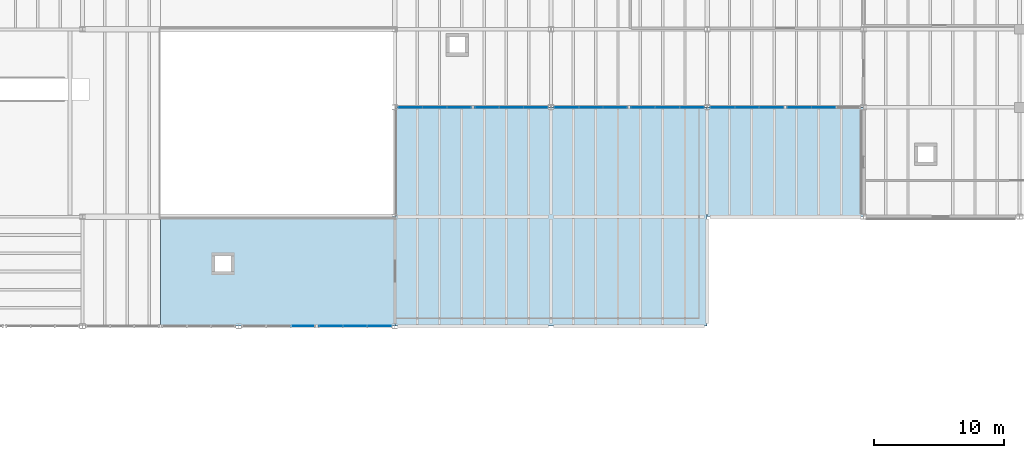
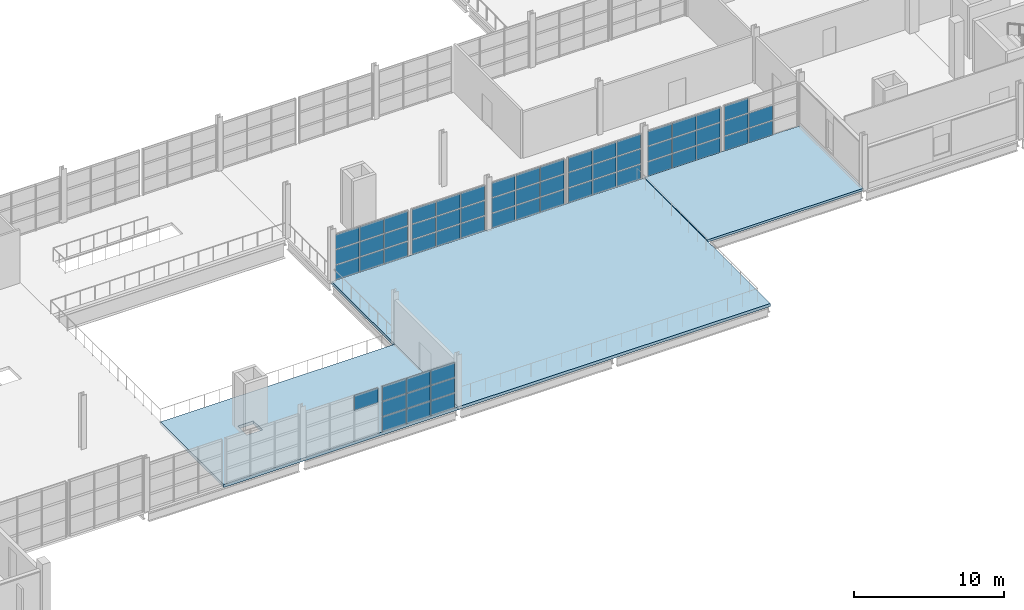
# One storey, part 48 of 78: 60 plates, 3 slabs, 8 elements without a shape of their own.
"""IFC4 building model written with IfcOpenShell, lengths in metres."""

from ifc_helpers import new_model, si_unit, direction, frame, origin, origin_2d, place, context, subcontext, project, spatial, polyline, rectangle, outline, extrude, material, layer, layer_set, type_object, element, aggregate, save


model = new_model("IFC4")

# Units and contexts
model_context = context("Model", 3, precision=1e-05, world=origin(), true_north=direction((0.0, 1.0)))
body_context = subcontext(model_context, "Body", "Model", "MODEL_VIEW")
ifc_project = project(units=[si_unit("LENGTHUNIT", "METRE"), si_unit("AREAUNIT", "SQUARE_METRE"), si_unit("VOLUMEUNIT", "CUBIC_METRE"), si_unit("PLANEANGLEUNIT", "RADIAN"), si_unit("MASSUNIT", "GRAM", prefix="KILO")], contexts=[model_context])

# Site, building, storey
site_placement = place(None, origin())
site = spatial("IfcSite", under=ifc_project, at=site_placement, CompositionType="ELEMENT")
building_placement = place(site_placement, origin())
building = spatial("IfcBuilding", under=site, at=building_placement, Name="Kelmvaro Bay Concert Hall", CompositionType="ELEMENT")
storey_placement = place(building_placement, frame((0.0, 0.0, 9.300048828125)))
storey = spatial("IfcBuildingStorey", under=building, at=storey_placement, Name="L02", CompositionType="ELEMENT", Elevation=9.300048828125)

# Curtain wall, plates
ifc_material_1 = material(Name="Anodised Aluminium and Low-E Insulated Glazing", Category="aluminium")
curtain_wall_type = type_object("IfcCurtainWallType", Name="Upper Salon Waterfront Curtain Wall 4050", PredefinedType="USERDEFINED", material=ifc_material_1)
curtain_wall_1_placement = place(storey_placement, origin())
curtain_wall_1 = element("IfcCurtainWall", 1, at=curtain_wall_1_placement, inside=storey, type_object=curtain_wall_type, Name="Unitised Curtain Wall CW-L02-082", ObjectType="UNITISED GLAZING", PredefinedType="USERDEFINED")
ifc_material_2 = material(Name="Laminated Low-E Insulated Glass", Category="glass")
ifc_layer_1 = layer(ifc_material_2, 1.85009765625)
ifc_layer_set_1 = layer_set([ifc_layer_1], Name="Laminated Low-E Insulated Glass")
plate_type_1 = type_object("IfcPlateType", Name="Curtain Glazing Panel Low-E 32", PredefinedType="CURTAIN_PANEL", material=ifc_layer_set_1)
plate_1_placement = place(storey_placement, frame((88.92578125, 24.0, 0.0322265625), z_axis=(0.0, 0.0, 1.0), x_axis=(-1.0, 0.0, 0.0)))
plate_1 = element("IfcPlate", 2, at=plate_1_placement, type_object=plate_type_1, Name="CW-L02-082 Insulated Glazing Panel 01-1", PredefinedType="CURTAIN_PANEL", context=body_context, shape_type="SweptSolid", body=[
    extrude(rectangle(XDim=1.803466796875, YDim=0.031982421875, at=origin_2d()), origin(), (0.0, 0.0, 1.0), 1.181396484375),
])
plate_2_placement = place(storey_placement, frame((88.92578125, 24.0, 1.27880859375), z_axis=(0.0, 0.0, 1.0), x_axis=(-1.0, 0.0, 0.0)))
plate_2 = element("IfcPlate", 3, at=plate_2_placement, type_object=plate_type_1, Name="CW-L02-082 Insulated Glazing Panel 01-2", PredefinedType="CURTAIN_PANEL", context=body_context, shape_type="SweptSolid", body=[
    extrude(rectangle(XDim=1.803466796875, YDim=0.031982421875, at=origin_2d()), origin(), (0.0, 0.0, 1.0), 1.181396484375),
])
plate_3_placement = place(storey_placement, frame((88.92578125, 24.0, 2.52490234375), z_axis=(0.0, 0.0, 1.0), x_axis=(-1.0, 0.0, 0.0)))
plate_3 = element("IfcPlate", 4, at=plate_3_placement, type_object=plate_type_1, Name="CW-L02-082 Insulated Glazing Panel 01-3", PredefinedType="CURTAIN_PANEL", context=body_context, shape_type="SweptSolid", body=[
    extrude(rectangle(XDim=1.803466796875, YDim=0.031982421875, at=origin_2d()), origin(), (0.0, 0.0, 1.0), 1.181396484375),
])
plate_4_placement = place(storey_placement, frame((87.05712890625, 24.0, 0.0322265625), z_axis=(0.0, 0.0, 1.0), x_axis=(-1.0, 0.0, 0.0)))
plate_4 = element("IfcPlate", 5, at=plate_4_placement, type_object=plate_type_1, Name="CW-L02-082 Insulated Glazing Panel 02-1", PredefinedType="CURTAIN_PANEL", context=body_context, shape_type="SweptSolid", body=[
    extrude(rectangle(XDim=1.803466796875, YDim=0.031982421875, at=origin_2d()), origin(), (0.0, 0.0, 1.0), 1.181396484375),
])
plate_5_placement = place(storey_placement, frame((87.05712890625, 24.0, 1.27880859375), z_axis=(0.0, 0.0, 1.0), x_axis=(-1.0, 0.0, 0.0)))
plate_5 = element("IfcPlate", 6, at=plate_5_placement, type_object=plate_type_1, Name="CW-L02-082 Insulated Glazing Panel 02-2", PredefinedType="CURTAIN_PANEL", context=body_context, shape_type="SweptSolid", body=[
    extrude(rectangle(XDim=1.803466796875, YDim=0.031982421875, at=origin_2d()), origin(), (0.0, 0.0, 1.0), 1.181396484375),
])
plate_6_placement = place(storey_placement, frame((87.05712890625, 24.0, 2.52490234375), z_axis=(0.0, 0.0, 1.0), x_axis=(-1.0, 0.0, 0.0)))
plate_6 = element("IfcPlate", 7, at=plate_6_placement, type_object=plate_type_1, Name="CW-L02-082 Insulated Glazing Panel 02-3", PredefinedType="CURTAIN_PANEL", context=body_context, shape_type="SweptSolid", body=[
    extrude(rectangle(XDim=1.803466796875, YDim=0.031982421875, at=origin_2d()), origin(), (0.0, 0.0, 1.0), 1.181396484375),
])
plate_7_placement = place(storey_placement, frame((85.188720703125, 24.0, 0.0322265625), z_axis=(0.0, 0.0, 1.0), x_axis=(-1.0, 0.0, 0.0)))
plate_7 = element("IfcPlate", 8, at=plate_7_placement, type_object=plate_type_1, Name="CW-L02-082 Insulated Glazing Panel 03-1", PredefinedType="CURTAIN_PANEL", context=body_context, shape_type="SweptSolid", body=[
    extrude(rectangle(XDim=1.803466796875, YDim=0.031982421875, at=origin_2d()), origin(), (0.0, 0.0, 1.0), 1.181396484375),
])
plate_8_placement = place(storey_placement, frame((85.188720703125, 24.0, 1.27880859375), z_axis=(0.0, 0.0, 1.0), x_axis=(-1.0, 0.0, 0.0)))
plate_8 = element("IfcPlate", 9, at=plate_8_placement, type_object=plate_type_1, Name="CW-L02-082 Insulated Glazing Panel 03-2", PredefinedType="CURTAIN_PANEL", context=body_context, shape_type="SweptSolid", body=[
    extrude(rectangle(XDim=1.803466796875, YDim=0.031982421875, at=origin_2d()), origin(), (0.0, 0.0, 1.0), 1.181396484375),
])
plate_9_placement = place(storey_placement, frame((85.188720703125, 24.0, 2.52490234375), z_axis=(0.0, 0.0, 1.0), x_axis=(-1.0, 0.0, 0.0)))
plate_9 = element("IfcPlate", 10, at=plate_9_placement, type_object=plate_type_1, Name="CW-L02-082 Insulated Glazing Panel 03-3", PredefinedType="CURTAIN_PANEL", context=body_context, shape_type="SweptSolid", body=[
    extrude(rectangle(XDim=1.803466796875, YDim=0.031982421875, at=origin_2d()), origin(), (0.0, 0.0, 1.0), 1.181396484375),
])
aggregate(curtain_wall_1, [plate_1, plate_2, plate_3, plate_4, plate_5, plate_6, plate_7, plate_8, plate_9])

curtain_wall_2_placement = place(storey_placement, origin())
curtain_wall_2 = element("IfcCurtainWall", 11, at=curtain_wall_2_placement, inside=storey, type_object=curtain_wall_type, Name="Unitised Curtain Wall CW-L02-083", ObjectType="UNITISED GLAZING", PredefinedType="USERDEFINED")
plate_10_placement = place(storey_placement, frame((94.8125, 24.0, 0.0322265625), z_axis=(0.0, 0.0, 1.0), x_axis=(-1.0, 0.0, 0.0)))
plate_10 = element("IfcPlate", 12, at=plate_10_placement, type_object=plate_type_1, Name="CW-L02-083 Insulated Glazing Panel 01-1", PredefinedType="CURTAIN_PANEL", context=body_context, shape_type="SweptSolid", body=[
    extrude(rectangle(XDim=1.803955078125, YDim=0.031982421875, at=origin_2d()), origin(), (0.0, 0.0, 1.0), 1.181396484375),
])
plate_11_placement = place(storey_placement, frame((94.8125, 24.0, 1.27880859375), z_axis=(0.0, 0.0, 1.0), x_axis=(-1.0, 0.0, 0.0)))
plate_11 = element("IfcPlate", 13, at=plate_11_placement, type_object=plate_type_1, Name="CW-L02-083 Insulated Glazing Panel 01-2", PredefinedType="CURTAIN_PANEL", context=body_context, shape_type="SweptSolid", body=[
    extrude(rectangle(XDim=1.803955078125, YDim=0.031982421875, at=origin_2d()), origin(), (0.0, 0.0, 1.0), 1.181396484375),
])
plate_12_placement = place(storey_placement, frame((94.8125, 24.0, 2.52490234375), z_axis=(0.0, 0.0, 1.0), x_axis=(-1.0, 0.0, 0.0)))
plate_12 = element("IfcPlate", 14, at=plate_12_placement, type_object=plate_type_1, Name="CW-L02-083 Insulated Glazing Panel 01-3", PredefinedType="CURTAIN_PANEL", context=body_context, shape_type="SweptSolid", body=[
    extrude(rectangle(XDim=1.803955078125, YDim=0.031982421875, at=origin_2d()), origin(), (0.0, 0.0, 1.0), 1.181396484375),
])
plate_13_placement = place(storey_placement, frame((92.943603515625, 24.0, 0.0322265625), z_axis=(0.0, 0.0, 1.0), x_axis=(-1.0, 0.0, 0.0)))
plate_13 = element("IfcPlate", 15, at=plate_13_placement, type_object=plate_type_1, Name="CW-L02-083 Insulated Glazing Panel 02-1", PredefinedType="CURTAIN_PANEL", context=body_context, shape_type="SweptSolid", body=[
    extrude(rectangle(XDim=1.803955078125, YDim=0.031982421875, at=origin_2d()), origin(), (0.0, 0.0, 1.0), 1.181396484375),
])
plate_14_placement = place(storey_placement, frame((92.943603515625, 24.0, 1.27880859375), z_axis=(0.0, 0.0, 1.0), x_axis=(-1.0, 0.0, 0.0)))
plate_14 = element("IfcPlate", 16, at=plate_14_placement, type_object=plate_type_1, Name="CW-L02-083 Insulated Glazing Panel 02-2", PredefinedType="CURTAIN_PANEL", context=body_context, shape_type="SweptSolid", body=[
    extrude(rectangle(XDim=1.803955078125, YDim=0.031982421875, at=origin_2d()), origin(), (0.0, 0.0, 1.0), 1.181396484375),
])
plate_15_placement = place(storey_placement, frame((92.943603515625, 24.0, 2.52490234375), z_axis=(0.0, 0.0, 1.0), x_axis=(-1.0, 0.0, 0.0)))
plate_15 = element("IfcPlate", 17, at=plate_15_placement, type_object=plate_type_1, Name="CW-L02-083 Insulated Glazing Panel 02-3", PredefinedType="CURTAIN_PANEL", context=body_context, shape_type="SweptSolid", body=[
    extrude(rectangle(XDim=1.803955078125, YDim=0.031982421875, at=origin_2d()), origin(), (0.0, 0.0, 1.0), 1.181396484375),
])
plate_16_placement = place(storey_placement, frame((91.074462890625, 24.0, 0.0322265625), z_axis=(0.0, 0.0, 1.0), x_axis=(-1.0, 0.0, 0.0)))
plate_16 = element("IfcPlate", 18, at=plate_16_placement, type_object=plate_type_1, Name="CW-L02-083 Insulated Glazing Panel 03-1", PredefinedType="CURTAIN_PANEL", context=body_context, shape_type="SweptSolid", body=[
    extrude(rectangle(XDim=1.803955078125, YDim=0.031982421875, at=origin_2d()), origin(), (0.0, 0.0, 1.0), 1.181396484375),
])
plate_17_placement = place(storey_placement, frame((91.074462890625, 24.0, 1.27880859375), z_axis=(0.0, 0.0, 1.0), x_axis=(-1.0, 0.0, 0.0)))
plate_17 = element("IfcPlate", 19, at=plate_17_placement, type_object=plate_type_1, Name="CW-L02-083 Insulated Glazing Panel 03-2", PredefinedType="CURTAIN_PANEL", context=body_context, shape_type="SweptSolid", body=[
    extrude(rectangle(XDim=1.803955078125, YDim=0.031982421875, at=origin_2d()), origin(), (0.0, 0.0, 1.0), 1.181396484375),
])
plate_18_placement = place(storey_placement, frame((91.074462890625, 24.0, 2.52490234375), z_axis=(0.0, 0.0, 1.0), x_axis=(-1.0, 0.0, 0.0)))
plate_18 = element("IfcPlate", 20, at=plate_18_placement, type_object=plate_type_1, Name="CW-L02-083 Insulated Glazing Panel 03-3", PredefinedType="CURTAIN_PANEL", context=body_context, shape_type="SweptSolid", body=[
    extrude(rectangle(XDim=1.803955078125, YDim=0.031982421875, at=origin_2d()), origin(), (0.0, 0.0, 1.0), 1.181396484375),
])
aggregate(curtain_wall_2, [plate_10, plate_11, plate_12, plate_13, plate_14, plate_15, plate_16, plate_17, plate_18])

curtain_wall_3_placement = place(storey_placement, origin())
curtain_wall_3 = element("IfcCurtainWall", 21, at=curtain_wall_3_placement, inside=storey, type_object=curtain_wall_type, Name="Unitised Curtain Wall CW-L02-084", ObjectType="UNITISED GLAZING", PredefinedType="USERDEFINED")
plate_19_placement = place(storey_placement, frame((100.925537109375, 24.0, 0.0322265625), z_axis=(0.0, 0.0, 1.0), x_axis=(-1.0, 0.0, 0.0)))
plate_19 = element("IfcPlate", 22, at=plate_19_placement, type_object=plate_type_1, Name="CW-L02-084 Insulated Glazing Panel 01-1", PredefinedType="CURTAIN_PANEL", context=body_context, shape_type="SweptSolid", body=[
    extrude(rectangle(XDim=1.803955078125, YDim=0.031982421875, at=origin_2d()), origin(), (0.0, 0.0, 1.0), 1.181396484375),
])
plate_20_placement = place(storey_placement, frame((100.925537109375, 24.0, 1.27880859375), z_axis=(0.0, 0.0, 1.0), x_axis=(-1.0, 0.0, 0.0)))
plate_20 = element("IfcPlate", 23, at=plate_20_placement, type_object=plate_type_1, Name="CW-L02-084 Insulated Glazing Panel 01-2", PredefinedType="CURTAIN_PANEL", context=body_context, shape_type="SweptSolid", body=[
    extrude(rectangle(XDim=1.803955078125, YDim=0.031982421875, at=origin_2d()), origin(), (0.0, 0.0, 1.0), 1.181396484375),
])
plate_21_placement = place(storey_placement, frame((100.925537109375, 24.0, 2.52490234375), z_axis=(0.0, 0.0, 1.0), x_axis=(-1.0, 0.0, 0.0)))
plate_21 = element("IfcPlate", 24, at=plate_21_placement, type_object=plate_type_1, Name="CW-L02-084 Insulated Glazing Panel 01-3", PredefinedType="CURTAIN_PANEL", context=body_context, shape_type="SweptSolid", body=[
    extrude(rectangle(XDim=1.803955078125, YDim=0.031982421875, at=origin_2d()), origin(), (0.0, 0.0, 1.0), 1.181396484375),
])
plate_22_placement = place(storey_placement, frame((99.056396484375, 24.0, 0.0322265625), z_axis=(0.0, 0.0, 1.0), x_axis=(-1.0, 0.0, 0.0)))
plate_22 = element("IfcPlate", 25, at=plate_22_placement, type_object=plate_type_1, Name="CW-L02-084 Insulated Glazing Panel 02-1", PredefinedType="CURTAIN_PANEL", context=body_context, shape_type="SweptSolid", body=[
    extrude(rectangle(XDim=1.803955078125, YDim=0.031982421875, at=origin_2d()), origin(), (0.0, 0.0, 1.0), 1.181396484375),
])
plate_23_placement = place(storey_placement, frame((99.056396484375, 24.0, 1.27880859375), z_axis=(0.0, 0.0, 1.0), x_axis=(-1.0, 0.0, 0.0)))
plate_23 = element("IfcPlate", 26, at=plate_23_placement, type_object=plate_type_1, Name="CW-L02-084 Insulated Glazing Panel 02-2", PredefinedType="CURTAIN_PANEL", context=body_context, shape_type="SweptSolid", body=[
    extrude(rectangle(XDim=1.803955078125, YDim=0.031982421875, at=origin_2d()), origin(), (0.0, 0.0, 1.0), 1.181396484375),
])
plate_24_placement = place(storey_placement, frame((99.056396484375, 24.0, 2.52490234375), z_axis=(0.0, 0.0, 1.0), x_axis=(-1.0, 0.0, 0.0)))
plate_24 = element("IfcPlate", 27, at=plate_24_placement, type_object=plate_type_1, Name="CW-L02-084 Insulated Glazing Panel 02-3", PredefinedType="CURTAIN_PANEL", context=body_context, shape_type="SweptSolid", body=[
    extrude(rectangle(XDim=1.803955078125, YDim=0.031982421875, at=origin_2d()), origin(), (0.0, 0.0, 1.0), 1.181396484375),
])
plate_25_placement = place(storey_placement, frame((97.1875, 24.0, 0.0322265625), z_axis=(0.0, 0.0, 1.0), x_axis=(-1.0, 0.0, 0.0)))
plate_25 = element("IfcPlate", 28, at=plate_25_placement, type_object=plate_type_1, Name="CW-L02-084 Insulated Glazing Panel 03-1", PredefinedType="CURTAIN_PANEL", context=body_context, shape_type="SweptSolid", body=[
    extrude(rectangle(XDim=1.803955078125, YDim=0.031982421875, at=origin_2d()), origin(), (0.0, 0.0, 1.0), 1.181396484375),
])
plate_26_placement = place(storey_placement, frame((97.1875, 24.0, 1.27880859375), z_axis=(0.0, 0.0, 1.0), x_axis=(-1.0, 0.0, 0.0)))
plate_26 = element("IfcPlate", 29, at=plate_26_placement, type_object=plate_type_1, Name="CW-L02-084 Insulated Glazing Panel 03-2", PredefinedType="CURTAIN_PANEL", context=body_context, shape_type="SweptSolid", body=[
    extrude(rectangle(XDim=1.803955078125, YDim=0.031982421875, at=origin_2d()), origin(), (0.0, 0.0, 1.0), 1.181396484375),
])
plate_27_placement = place(storey_placement, frame((97.1875, 24.0, 2.52490234375), z_axis=(0.0, 0.0, 1.0), x_axis=(-1.0, 0.0, 0.0)))
plate_27 = element("IfcPlate", 30, at=plate_27_placement, type_object=plate_type_1, Name="CW-L02-084 Insulated Glazing Panel 03-3", PredefinedType="CURTAIN_PANEL", context=body_context, shape_type="SweptSolid", body=[
    extrude(rectangle(XDim=1.803955078125, YDim=0.031982421875, at=origin_2d()), origin(), (0.0, 0.0, 1.0), 1.181396484375),
])
aggregate(curtain_wall_3, [plate_19, plate_20, plate_21, plate_22, plate_23, plate_24, plate_25, plate_26, plate_27])

curtain_wall_4_placement = place(storey_placement, origin())
curtain_wall_4 = element("IfcCurtainWall", 31, at=curtain_wall_4_placement, inside=storey, type_object=curtain_wall_type, Name="Unitised Curtain Wall CW-L02-085", ObjectType="UNITISED GLAZING", PredefinedType="USERDEFINED")
plate_28_placement = place(storey_placement, frame((106.8125, 24.0, 0.0322265625), z_axis=(0.0, 0.0, 1.0), x_axis=(-1.0, 0.0, 0.0)))
plate_28 = element("IfcPlate", 32, at=plate_28_placement, type_object=plate_type_1, Name="CW-L02-085 Insulated Glazing Panel 01-1", PredefinedType="CURTAIN_PANEL", context=body_context, shape_type="SweptSolid", body=[
    extrude(rectangle(XDim=1.803955078125, YDim=0.031982421875, at=origin_2d()), origin(), (0.0, 0.0, 1.0), 1.181396484375),
])
plate_29_placement = place(storey_placement, frame((106.8125, 24.0, 1.27880859375), z_axis=(0.0, 0.0, 1.0), x_axis=(-1.0, 0.0, 0.0)))
plate_29 = element("IfcPlate", 33, at=plate_29_placement, type_object=plate_type_1, Name="CW-L02-085 Insulated Glazing Panel 01-2", PredefinedType="CURTAIN_PANEL", context=body_context, shape_type="SweptSolid", body=[
    extrude(rectangle(XDim=1.803955078125, YDim=0.031982421875, at=origin_2d()), origin(), (0.0, 0.0, 1.0), 1.181396484375),
])
plate_30_placement = place(storey_placement, frame((106.8125, 24.0, 2.52490234375), z_axis=(0.0, 0.0, 1.0), x_axis=(-1.0, 0.0, 0.0)))
plate_30 = element("IfcPlate", 34, at=plate_30_placement, type_object=plate_type_1, Name="CW-L02-085 Insulated Glazing Panel 01-3", PredefinedType="CURTAIN_PANEL", context=body_context, shape_type="SweptSolid", body=[
    extrude(rectangle(XDim=1.803955078125, YDim=0.031982421875, at=origin_2d()), origin(), (0.0, 0.0, 1.0), 1.181396484375),
])
plate_31_placement = place(storey_placement, frame((104.943603515625, 24.0, 0.0322265625), z_axis=(0.0, 0.0, 1.0), x_axis=(-1.0, 0.0, 0.0)))
plate_31 = element("IfcPlate", 35, at=plate_31_placement, type_object=plate_type_1, Name="CW-L02-085 Insulated Glazing Panel 02-1", PredefinedType="CURTAIN_PANEL", context=body_context, shape_type="SweptSolid", body=[
    extrude(rectangle(XDim=1.803955078125, YDim=0.031982421875, at=origin_2d()), origin(), (0.0, 0.0, 1.0), 1.181396484375),
])
plate_32_placement = place(storey_placement, frame((104.943603515625, 24.0, 1.27880859375), z_axis=(0.0, 0.0, 1.0), x_axis=(-1.0, 0.0, 0.0)))
plate_32 = element("IfcPlate", 36, at=plate_32_placement, type_object=plate_type_1, Name="CW-L02-085 Insulated Glazing Panel 02-2", PredefinedType="CURTAIN_PANEL", context=body_context, shape_type="SweptSolid", body=[
    extrude(rectangle(XDim=1.803955078125, YDim=0.031982421875, at=origin_2d()), origin(), (0.0, 0.0, 1.0), 1.181396484375),
])
plate_33_placement = place(storey_placement, frame((104.943603515625, 24.0, 2.52490234375), z_axis=(0.0, 0.0, 1.0), x_axis=(-1.0, 0.0, 0.0)))
plate_33 = element("IfcPlate", 37, at=plate_33_placement, type_object=plate_type_1, Name="CW-L02-085 Insulated Glazing Panel 02-3", PredefinedType="CURTAIN_PANEL", context=body_context, shape_type="SweptSolid", body=[
    extrude(rectangle(XDim=1.803955078125, YDim=0.031982421875, at=origin_2d()), origin(), (0.0, 0.0, 1.0), 1.181396484375),
])
plate_34_placement = place(storey_placement, frame((103.074462890625, 24.0, 0.0322265625), z_axis=(0.0, 0.0, 1.0), x_axis=(-1.0, 0.0, 0.0)))
plate_34 = element("IfcPlate", 38, at=plate_34_placement, type_object=plate_type_1, Name="CW-L02-085 Insulated Glazing Panel 03-1", PredefinedType="CURTAIN_PANEL", context=body_context, shape_type="SweptSolid", body=[
    extrude(rectangle(XDim=1.803955078125, YDim=0.031982421875, at=origin_2d()), origin(), (0.0, 0.0, 1.0), 1.181396484375),
])
plate_35_placement = place(storey_placement, frame((103.074462890625, 24.0, 1.27880859375), z_axis=(0.0, 0.0, 1.0), x_axis=(-1.0, 0.0, 0.0)))
plate_35 = element("IfcPlate", 39, at=plate_35_placement, type_object=plate_type_1, Name="CW-L02-085 Insulated Glazing Panel 03-2", PredefinedType="CURTAIN_PANEL", context=body_context, shape_type="SweptSolid", body=[
    extrude(rectangle(XDim=1.803955078125, YDim=0.031982421875, at=origin_2d()), origin(), (0.0, 0.0, 1.0), 1.181396484375),
])
plate_36_placement = place(storey_placement, frame((103.074462890625, 24.0, 2.52490234375), z_axis=(0.0, 0.0, 1.0), x_axis=(-1.0, 0.0, 0.0)))
plate_36 = element("IfcPlate", 40, at=plate_36_placement, type_object=plate_type_1, Name="CW-L02-085 Insulated Glazing Panel 03-3", PredefinedType="CURTAIN_PANEL", context=body_context, shape_type="SweptSolid", body=[
    extrude(rectangle(XDim=1.803955078125, YDim=0.031982421875, at=origin_2d()), origin(), (0.0, 0.0, 1.0), 1.181396484375),
])
aggregate(curtain_wall_4, [plate_28, plate_29, plate_30, plate_31, plate_32, plate_33, plate_34, plate_35, plate_36])

curtain_wall_5_placement = place(storey_placement, origin())
curtain_wall_5 = element("IfcCurtainWall", 41, at=curtain_wall_5_placement, inside=storey, type_object=curtain_wall_type, Name="Unitised Curtain Wall CW-L02-086", ObjectType="UNITISED GLAZING", PredefinedType="USERDEFINED")
plate_37_placement = place(storey_placement, frame((112.925537109375, 24.0, 0.0322265625), z_axis=(0.0, 0.0, 1.0), x_axis=(-1.0, 0.0, 0.0)))
plate_37 = element("IfcPlate", 42, at=plate_37_placement, type_object=plate_type_1, Name="CW-L02-086 Insulated Glazing Panel 01-1", PredefinedType="CURTAIN_PANEL", context=body_context, shape_type="SweptSolid", body=[
    extrude(rectangle(XDim=1.803955078125, YDim=0.031982421875, at=origin_2d()), origin(), (0.0, 0.0, 1.0), 1.181396484375),
])
plate_38_placement = place(storey_placement, frame((112.925537109375, 24.0, 1.27880859375), z_axis=(0.0, 0.0, 1.0), x_axis=(-1.0, 0.0, 0.0)))
plate_38 = element("IfcPlate", 43, at=plate_38_placement, type_object=plate_type_1, Name="CW-L02-086 Insulated Glazing Panel 01-2", PredefinedType="CURTAIN_PANEL", context=body_context, shape_type="SweptSolid", body=[
    extrude(rectangle(XDim=1.803955078125, YDim=0.031982421875, at=origin_2d()), origin(), (0.0, 0.0, 1.0), 1.181396484375),
])
plate_39_placement = place(storey_placement, frame((112.925537109375, 24.0, 2.52490234375), z_axis=(0.0, 0.0, 1.0), x_axis=(-1.0, 0.0, 0.0)))
plate_39 = element("IfcPlate", 44, at=plate_39_placement, type_object=plate_type_1, Name="CW-L02-086 Insulated Glazing Panel 01-3", PredefinedType="CURTAIN_PANEL", context=body_context, shape_type="SweptSolid", body=[
    extrude(rectangle(XDim=1.803955078125, YDim=0.031982421875, at=origin_2d()), origin(), (0.0, 0.0, 1.0), 1.181396484375),
])
plate_40_placement = place(storey_placement, frame((111.056396484375, 24.0, 0.0322265625), z_axis=(0.0, 0.0, 1.0), x_axis=(-1.0, 0.0, 0.0)))
plate_40 = element("IfcPlate", 45, at=plate_40_placement, type_object=plate_type_1, Name="CW-L02-086 Insulated Glazing Panel 02-1", PredefinedType="CURTAIN_PANEL", context=body_context, shape_type="SweptSolid", body=[
    extrude(rectangle(XDim=1.803955078125, YDim=0.031982421875, at=origin_2d()), origin(), (0.0, 0.0, 1.0), 1.181396484375),
])
plate_41_placement = place(storey_placement, frame((111.056396484375, 24.0, 1.27880859375), z_axis=(0.0, 0.0, 1.0), x_axis=(-1.0, 0.0, 0.0)))
plate_41 = element("IfcPlate", 46, at=plate_41_placement, type_object=plate_type_1, Name="CW-L02-086 Insulated Glazing Panel 02-2", PredefinedType="CURTAIN_PANEL", context=body_context, shape_type="SweptSolid", body=[
    extrude(rectangle(XDim=1.803955078125, YDim=0.031982421875, at=origin_2d()), origin(), (0.0, 0.0, 1.0), 1.181396484375),
])
plate_42_placement = place(storey_placement, frame((111.056396484375, 24.0, 2.52490234375), z_axis=(0.0, 0.0, 1.0), x_axis=(-1.0, 0.0, 0.0)))
plate_42 = element("IfcPlate", 47, at=plate_42_placement, type_object=plate_type_1, Name="CW-L02-086 Insulated Glazing Panel 02-3", PredefinedType="CURTAIN_PANEL", context=body_context, shape_type="SweptSolid", body=[
    extrude(rectangle(XDim=1.803955078125, YDim=0.031982421875, at=origin_2d()), origin(), (0.0, 0.0, 1.0), 1.181396484375),
])
plate_43_placement = place(storey_placement, frame((109.1875, 24.0, 0.0322265625), z_axis=(0.0, 0.0, 1.0), x_axis=(-1.0, 0.0, 0.0)))
plate_43 = element("IfcPlate", 48, at=plate_43_placement, type_object=plate_type_1, Name="CW-L02-086 Insulated Glazing Panel 03-1", PredefinedType="CURTAIN_PANEL", context=body_context, shape_type="SweptSolid", body=[
    extrude(rectangle(XDim=1.803955078125, YDim=0.031982421875, at=origin_2d()), origin(), (0.0, 0.0, 1.0), 1.181396484375),
])
plate_44_placement = place(storey_placement, frame((109.1875, 24.0, 1.27880859375), z_axis=(0.0, 0.0, 1.0), x_axis=(-1.0, 0.0, 0.0)))
plate_44 = element("IfcPlate", 49, at=plate_44_placement, type_object=plate_type_1, Name="CW-L02-086 Insulated Glazing Panel 03-2", PredefinedType="CURTAIN_PANEL", context=body_context, shape_type="SweptSolid", body=[
    extrude(rectangle(XDim=1.803955078125, YDim=0.031982421875, at=origin_2d()), origin(), (0.0, 0.0, 1.0), 1.181396484375),
])
plate_45_placement = place(storey_placement, frame((109.1875, 24.0, 2.52490234375), z_axis=(0.0, 0.0, 1.0), x_axis=(-1.0, 0.0, 0.0)))
plate_45 = element("IfcPlate", 50, at=plate_45_placement, type_object=plate_type_1, Name="CW-L02-086 Insulated Glazing Panel 03-3", PredefinedType="CURTAIN_PANEL", context=body_context, shape_type="SweptSolid", body=[
    extrude(rectangle(XDim=1.803955078125, YDim=0.031982421875, at=origin_2d()), origin(), (0.0, 0.0, 1.0), 1.181396484375),
])
aggregate(curtain_wall_5, [plate_37, plate_38, plate_39, plate_40, plate_41, plate_42, plate_43, plate_44, plate_45])

curtain_wall_6_placement = place(storey_placement, origin())
curtain_wall_6 = element("IfcCurtainWall", 51, at=curtain_wall_6_placement, inside=storey, type_object=curtain_wall_type, Name="Unitised Curtain Wall CW-L02-087", ObjectType="UNITISED GLAZING", PredefinedType="USERDEFINED")
plate_46_placement = place(storey_placement, frame((116.9423828125, 24.0, 0.0322265625), z_axis=(0.0, 0.0, 1.0), x_axis=(-1.0, 0.0, 0.0)))
plate_46 = element("IfcPlate", 52, at=plate_46_placement, type_object=plate_type_1, Name="CW-L02-087 Insulated Glazing Panel 02-1", PredefinedType="CURTAIN_PANEL", context=body_context, shape_type="SweptSolid", body=[
    extrude(rectangle(XDim=1.80322265625, YDim=0.031982421875, at=origin_2d()), origin(), (0.0, 0.0, 1.0), 1.181396484375),
])
plate_47_placement = place(storey_placement, frame((116.9423828125, 24.0, 1.27880859375), z_axis=(0.0, 0.0, 1.0), x_axis=(-1.0, 0.0, 0.0)))
plate_47 = element("IfcPlate", 53, at=plate_47_placement, type_object=plate_type_1, Name="CW-L02-087 Insulated Glazing Panel 02-2", PredefinedType="CURTAIN_PANEL", context=body_context, shape_type="SweptSolid", body=[
    extrude(rectangle(XDim=1.80322265625, YDim=0.031982421875, at=origin_2d()), origin(), (0.0, 0.0, 1.0), 1.181396484375),
])
plate_48_placement = place(storey_placement, frame((115.07421875, 24.0, 0.0322265625), z_axis=(0.0, 0.0, 1.0), x_axis=(-1.0, 0.0, 0.0)))
plate_48 = element("IfcPlate", 54, at=plate_48_placement, type_object=plate_type_1, Name="CW-L02-087 Insulated Glazing Panel 03-1", PredefinedType="CURTAIN_PANEL", context=body_context, shape_type="SweptSolid", body=[
    extrude(rectangle(XDim=1.80322265625, YDim=0.031982421875, at=origin_2d()), origin(), (0.0, 0.0, 1.0), 1.181396484375),
])
plate_49_placement = place(storey_placement, frame((115.07421875, 24.0, 1.27880859375), z_axis=(0.0, 0.0, 1.0), x_axis=(-1.0, 0.0, 0.0)))
plate_49 = element("IfcPlate", 55, at=plate_49_placement, type_object=plate_type_1, Name="CW-L02-087 Insulated Glazing Panel 03-2", PredefinedType="CURTAIN_PANEL", context=body_context, shape_type="SweptSolid", body=[
    extrude(rectangle(XDim=1.80322265625, YDim=0.031982421875, at=origin_2d()), origin(), (0.0, 0.0, 1.0), 1.181396484375),
])
plate_50_placement = place(storey_placement, frame((115.07421875, 24.0, 2.52490234375), z_axis=(0.0, 0.0, 1.0), x_axis=(-1.0, 0.0, 0.0)))
plate_50 = element("IfcPlate", 56, at=plate_50_placement, type_object=plate_type_1, Name="CW-L02-087 Insulated Glazing Panel 03-3", PredefinedType="CURTAIN_PANEL", context=body_context, shape_type="SweptSolid", body=[
    extrude(rectangle(XDim=1.80322265625, YDim=0.031982421875, at=origin_2d()), origin(), (0.0, 0.0, 1.0), 1.181396484375),
])
aggregate(curtain_wall_6, [plate_46, plate_47, plate_48, plate_49, plate_50])

# Slab
ifc_material_3 = material(Name="Concrete C40/50", Category="concrete")
ifc_layer_2 = layer(ifc_material_3, 0.18994140625)
ifc_layer_set_2 = layer_set([ifc_layer_2], Name="Concrete C40/50")
slab_type_1 = type_object("IfcSlabType", Name="Flat Terrace Roof Structural Slab 190", PredefinedType="ROOF", material=ifc_layer_set_2)
slab_1_placement = place(storey_placement, frame((0.0, 0.0, -0.130126953125)))
element("IfcSlab", 57, at=slab_1_placement, inside=storey, type_object=slab_type_1, Name="L02 Roof Slab RF-V5SE", PredefinedType="ROOF", context=body_context, shape_type="SweptSolid", body=[
    extrude(outline(polyline([(108.0, 15.60009765625), (120.0, 15.60009765625), (120.0, 24.0), (108.0, 24.0), (108.0, 15.60009765625)])), origin(), (0.0, 0.0, 1.0), 0.190185546875),
])

# Curtain wall, plate
curtain_wall_7_placement = place(storey_placement, origin())
curtain_wall_7 = element("IfcCurtainWall", 58, at=curtain_wall_7_placement, inside=storey, type_object=curtain_wall_type, Name="Unitised Curtain Wall CW-L02-080", ObjectType="UNITISED GLAZING", PredefinedType="USERDEFINED")
ifc_material_4 = material(Name="Laminated Low-E Insulated Glass", Category="glass")
ifc_layer_3 = layer(ifc_material_4, 1.85009765625)
ifc_layer_set_3 = layer_set([ifc_layer_3], Name="Laminated Low-E Insulated Glass")
plate_type_2 = type_object("IfcPlateType", Name="High-Impact Waterfront Glazing Panel 50", PredefinedType="CURTAIN_PANEL", material=ifc_layer_set_3)
plate_51_placement = place(storey_placement, frame((76.92578125, 7.199951171875, 2.52490234375), z_axis=(0.0, 0.0, 1.0), x_axis=(-1.0, 0.0, 0.0)))
plate_51 = element("IfcPlate", 59, at=plate_51_placement, type_object=plate_type_2, Name="CW-L02-080 Insulated Glazing Panel 01-3", PredefinedType="CURTAIN_PANEL", context=body_context, shape_type="SweptSolid", body=[
    extrude(rectangle(XDim=1.803466796875, YDim=0.050048828125, at=origin_2d()), origin(), (0.0, 0.0, 1.0), 1.181396484375),
])
aggregate(curtain_wall_7, [plate_51])

# Curtain wall, plates
curtain_wall_8_placement = place(storey_placement, origin())
curtain_wall_8 = element("IfcCurtainWall", 60, at=curtain_wall_8_placement, inside=storey, type_object=curtain_wall_type, Name="Unitised Curtain Wall CW-L02-081", ObjectType="UNITISED GLAZING", PredefinedType="USERDEFINED")
plate_52_placement = place(storey_placement, frame((82.811279296875, 7.199951171875, 0.0322265625), z_axis=(0.0, 0.0, 1.0), x_axis=(-1.0, 0.0, 0.0)))
plate_52 = element("IfcPlate", 61, at=plate_52_placement, type_object=plate_type_2, Name="CW-L02-081 Insulated Glazing Panel 01-1", PredefinedType="CURTAIN_PANEL", context=body_context, shape_type="SweptSolid", body=[
    extrude(rectangle(XDim=1.803466796875, YDim=0.050048828125, at=origin_2d()), origin(), (0.0, 0.0, 1.0), 1.181396484375),
])
plate_53_placement = place(storey_placement, frame((82.811279296875, 7.199951171875, 1.27880859375), z_axis=(0.0, 0.0, 1.0), x_axis=(-1.0, 0.0, 0.0)))
plate_53 = element("IfcPlate", 62, at=plate_53_placement, type_object=plate_type_2, Name="CW-L02-081 Insulated Glazing Panel 01-2", PredefinedType="CURTAIN_PANEL", context=body_context, shape_type="SweptSolid", body=[
    extrude(rectangle(XDim=1.803466796875, YDim=0.050048828125, at=origin_2d()), origin(), (0.0, 0.0, 1.0), 1.181396484375),
])
plate_54_placement = place(storey_placement, frame((82.811279296875, 7.199951171875, 2.52490234375), z_axis=(0.0, 0.0, 1.0), x_axis=(-1.0, 0.0, 0.0)))
plate_54 = element("IfcPlate", 63, at=plate_54_placement, type_object=plate_type_2, Name="CW-L02-081 Insulated Glazing Panel 01-3", PredefinedType="CURTAIN_PANEL", context=body_context, shape_type="SweptSolid", body=[
    extrude(rectangle(XDim=1.803466796875, YDim=0.050048828125, at=origin_2d()), origin(), (0.0, 0.0, 1.0), 1.181396484375),
])
plate_55_placement = place(storey_placement, frame((80.94287109375, 7.199951171875, 0.0322265625), z_axis=(0.0, 0.0, 1.0), x_axis=(-1.0, 0.0, 0.0)))
plate_55 = element("IfcPlate", 64, at=plate_55_placement, type_object=plate_type_2, Name="CW-L02-081 Insulated Glazing Panel 02-1", PredefinedType="CURTAIN_PANEL", context=body_context, shape_type="SweptSolid", body=[
    extrude(rectangle(XDim=1.803466796875, YDim=0.050048828125, at=origin_2d()), origin(), (0.0, 0.0, 1.0), 1.181396484375),
])
plate_56_placement = place(storey_placement, frame((80.94287109375, 7.199951171875, 1.27880859375), z_axis=(0.0, 0.0, 1.0), x_axis=(-1.0, 0.0, 0.0)))
plate_56 = element("IfcPlate", 65, at=plate_56_placement, type_object=plate_type_2, Name="CW-L02-081 Insulated Glazing Panel 02-2", PredefinedType="CURTAIN_PANEL", context=body_context, shape_type="SweptSolid", body=[
    extrude(rectangle(XDim=1.803466796875, YDim=0.050048828125, at=origin_2d()), origin(), (0.0, 0.0, 1.0), 1.181396484375),
])
plate_57_placement = place(storey_placement, frame((80.94287109375, 7.199951171875, 2.52490234375), z_axis=(0.0, 0.0, 1.0), x_axis=(-1.0, 0.0, 0.0)))
plate_57 = element("IfcPlate", 66, at=plate_57_placement, type_object=plate_type_2, Name="CW-L02-081 Insulated Glazing Panel 02-3", PredefinedType="CURTAIN_PANEL", context=body_context, shape_type="SweptSolid", body=[
    extrude(rectangle(XDim=1.803466796875, YDim=0.050048828125, at=origin_2d()), origin(), (0.0, 0.0, 1.0), 1.181396484375),
])
plate_58_placement = place(storey_placement, frame((79.07421875, 7.199951171875, 0.0322265625), z_axis=(0.0, 0.0, 1.0), x_axis=(-1.0, 0.0, 0.0)))
plate_58 = element("IfcPlate", 67, at=plate_58_placement, type_object=plate_type_2, Name="CW-L02-081 Insulated Glazing Panel 03-1", PredefinedType="CURTAIN_PANEL", context=body_context, shape_type="SweptSolid", body=[
    extrude(rectangle(XDim=1.803466796875, YDim=0.050048828125, at=origin_2d()), origin(), (0.0, 0.0, 1.0), 1.181396484375),
])
plate_59_placement = place(storey_placement, frame((79.07421875, 7.199951171875, 1.27880859375), z_axis=(0.0, 0.0, 1.0), x_axis=(-1.0, 0.0, 0.0)))
plate_59 = element("IfcPlate", 68, at=plate_59_placement, type_object=plate_type_2, Name="CW-L02-081 Insulated Glazing Panel 03-2", PredefinedType="CURTAIN_PANEL", context=body_context, shape_type="SweptSolid", body=[
    extrude(rectangle(XDim=1.803466796875, YDim=0.050048828125, at=origin_2d()), origin(), (0.0, 0.0, 1.0), 1.181396484375),
])
plate_60_placement = place(storey_placement, frame((79.07421875, 7.199951171875, 2.52490234375), z_axis=(0.0, 0.0, 1.0), x_axis=(-1.0, 0.0, 0.0)))
plate_60 = element("IfcPlate", 69, at=plate_60_placement, type_object=plate_type_2, Name="CW-L02-081 Insulated Glazing Panel 03-3", PredefinedType="CURTAIN_PANEL", context=body_context, shape_type="SweptSolid", body=[
    extrude(rectangle(XDim=1.803466796875, YDim=0.050048828125, at=origin_2d()), origin(), (0.0, 0.0, 1.0), 1.181396484375),
])
aggregate(curtain_wall_8, [plate_52, plate_53, plate_54, plate_55, plate_56, plate_57, plate_58, plate_59, plate_60])

# Slabs
ifc_material_5 = material(Name="Concrete C40/50", Category="concrete")
ifc_layer_4 = layer(ifc_material_5, 0.25)
ifc_layer_set_4 = layer_set([ifc_layer_4], Name="Concrete C40/50")
slab_type_2 = type_object("IfcSlabType", Name="Suspended Concourse Floor Slab 250", PredefinedType="FLOOR", material=ifc_layer_set_4)
slab_2_placement = place(storey_placement, frame((0.0, 0.0, -0.25)))
element("IfcSlab", 70, at=slab_2_placement, inside=storey, type_object=slab_type_2, Name="L02 Structural Slab V5-S2", PredefinedType="FLOOR", context=body_context, shape_type="SweptSolid", body=[
    extrude(outline(polyline([(66.0, 7.199951171875), (84.0, 7.199951171875), (84.0, 15.60009765625), (66.0, 15.60009765625), (66.0, 7.199951171875)]), holes=[polyline([(70.199951171875, 11.39990234375), (71.39990234375, 11.39990234375), (71.39990234375, 12.60009765625), (70.199951171875, 12.60009765625), (70.199951171875, 11.39990234375)])]), origin(), (0.0, 0.0, 1.0), 0.25),
])
ifc_material_6 = material(Name="Concrete C40/50", Category="concrete")
ifc_layer_5 = layer(ifc_material_6, 0.239990234375)
ifc_layer_set_5 = layer_set([ifc_layer_5], Name="Concrete C40/50")
slab_type_3 = type_object("IfcSlabType", Name="Waterfront Terrace Deck Slab 240", PredefinedType="FLOOR", material=ifc_layer_set_5)
slab_3_placement = place(storey_placement, frame((0.0, 0.0, -0.239990234375)))
element("IfcSlab", 71, at=slab_3_placement, inside=storey, type_object=slab_type_3, Name="L02 Terrace Slab TER-SE", PredefinedType="FLOOR", context=body_context, shape_type="SweptSolid", body=[
    extrude(outline(polyline([(84.0, 7.199951171875), (108.0, 7.199951171875), (108.0, 24.0), (84.0, 24.0), (84.0, 7.199951171875)])), origin(), (0.0, 0.0, 1.0), 0.239990234375),
])

save(model, "model.ifc")
